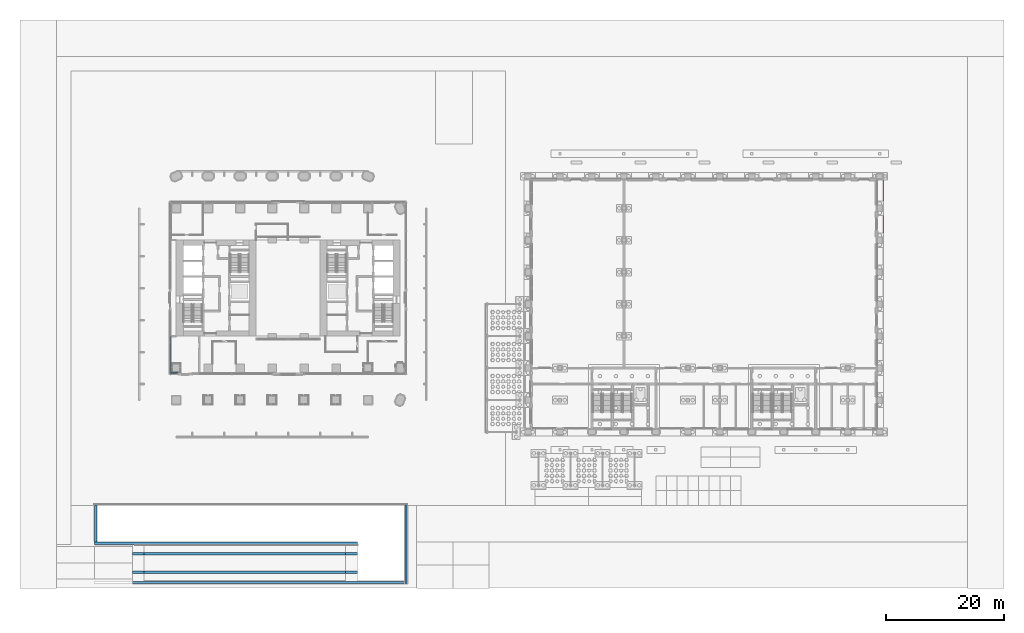
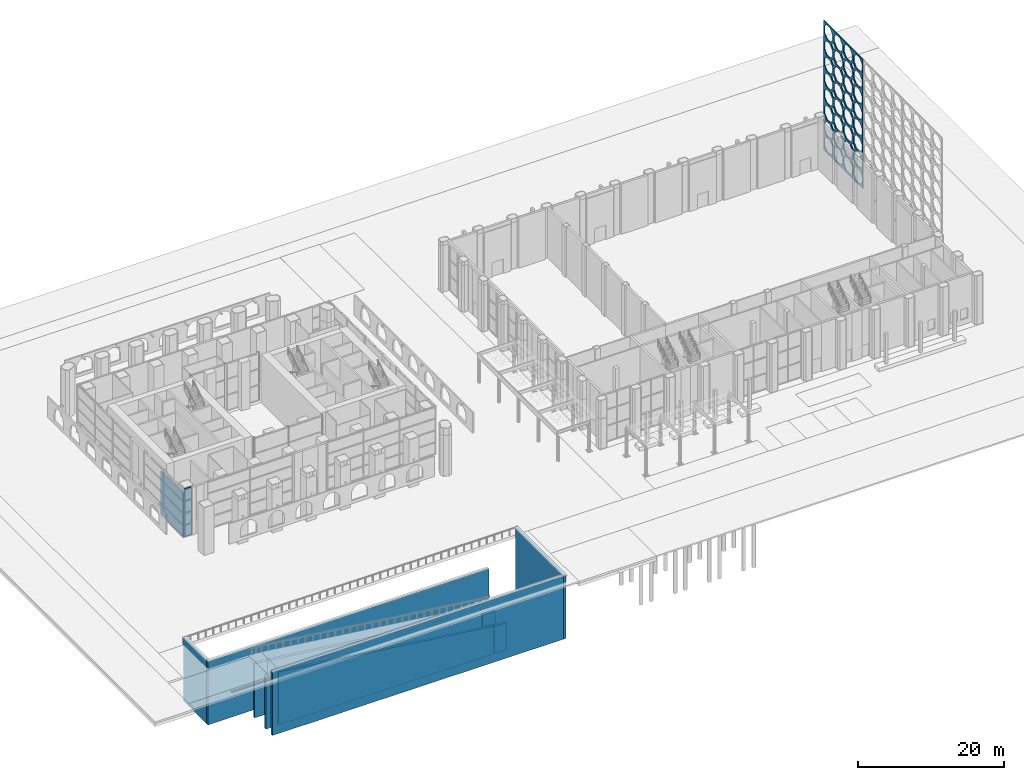
# One storey, part 29 of 54: 12 walls, 1 plate.
"""IFC4 building model written with IfcOpenShell, lengths in metres."""

from ifc_helpers import new_model, si_unit, direction, frame, frame_2d, origin, place, context, subcontext, project, spatial, polyline, rectangle, outline, extrude, material, layer, layer_set, type_object, element, save


model = new_model("IFC4")

# Units and contexts
model_context = context("Model", 3, precision=1e-05, world=origin(), true_north=direction((0.0, 1.0)))
body_context = subcontext(model_context, "Body", "Model", "MODEL_VIEW")
ifc_project = project(units=[si_unit("LENGTHUNIT", "METRE"), si_unit("AREAUNIT", "SQUARE_METRE"), si_unit("VOLUMEUNIT", "CUBIC_METRE"), si_unit("PLANEANGLEUNIT", "RADIAN"), si_unit("MASSUNIT", "GRAM", prefix="KILO")], contexts=[model_context])

# Site, building, storey
site_placement = place(None, origin())
site = spatial("IfcSite", under=ifc_project, at=site_placement, CompositionType="ELEMENT")
building_placement = place(site_placement, origin())
building = spatial("IfcBuilding", under=site, at=building_placement, Name="Tabaq Tower and Sports Hall", CompositionType="ELEMENT")
storey_placement = place(building_placement, origin())
storey = spatial("IfcBuildingStorey", under=building, at=storey_placement, Name="L00", CompositionType="ELEMENT", Elevation=0.0)

# Plate
ifc_material_1 = material(Name="White precast concrete C60/75", Category="concrete")
ifc_layer_1 = layer(ifc_material_1, 0.1201171875)
ifc_layer_set_1 = layer_set([ifc_layer_1], Name="HALL GIRIH SCREEN 120")
plate_type = type_object("IfcPlateType", Name="HALL GIRIH SCREEN 120", PredefinedType="USERDEFINED", material=ifc_layer_set_1)
plate_placement = place(storey_placement, frame((124.800048828125, 32.419921875, 2.39990234375), z_axis=(0.0, 0.0, 1.0), x_axis=(0.0, 1.0, 0.0)))
element("IfcPlate", 1, at=plate_placement, inside=storey, type_object=plate_type, Name="Hall girih screen 3", ObjectType="SCREEN", PredefinedType="USERDEFINED", context=body_context, shape_type="SweptSolid", body=[
    extrude(outline(polyline([(0.0, 0.0), (10.760009765625, 0.0), (10.760009765625, 21.60009765625), (0.0, 21.60009765625), (0.0, 0.0)]), holes=[polyline([(2.487060546875, 1.866943359375), (2.162109375, 2.2109375), (1.818115234375, 2.535888671875), (1.344970703125, 2.549560546875), (0.871826171875, 2.535888671875), (0.52783203125, 2.2109375), (0.202880859375, 1.866943359375), (0.189453125, 1.393798828125), (0.202880859375, 0.920654296875), (0.52783203125, 0.57666015625), (0.871826171875, 0.251708984375), (1.344970703125, 0.23828125), (1.818115234375, 0.251708984375), (2.162109375, 0.57666015625), (2.487060546875, 0.920654296875), (2.500732421875, 1.393798828125), (2.487060546875, 1.866943359375)]), polyline([(2.487060546875, 4.554443359375), (2.162109375, 4.8984375), (1.818115234375, 5.223388671875), (1.344970703125, 5.237060546875), (0.871826171875, 5.223388671875), (0.52783203125, 4.8984375), (0.202880859375, 4.554443359375), (0.189453125, 4.081298828125), (0.202880859375, 3.608154296875), (0.52783203125, 3.26416015625), (0.871826171875, 2.939208984375), (1.344970703125, 2.92578125), (1.818115234375, 2.939208984375), (2.162109375, 3.26416015625), (2.487060546875, 3.608154296875), (2.500732421875, 4.081298828125), (2.487060546875, 4.554443359375)]), polyline([(2.487060546875, 7.241943359375), (2.162109375, 7.5859375), (1.818115234375, 7.910888671875), (1.344970703125, 7.924560546875), (0.871826171875, 7.910888671875), (0.52783203125, 7.5859375), (0.202880859375, 7.241943359375), (0.189453125, 6.768798828125), (0.202880859375, 6.295654296875), (0.52783203125, 5.95166015625), (0.871826171875, 5.626708984375), (1.344970703125, 5.61328125), (1.818115234375, 5.626708984375), (2.162109375, 5.95166015625), (2.487060546875, 6.295654296875), (2.500732421875, 6.768798828125), (2.487060546875, 7.241943359375)]), polyline([(2.487060546875, 9.929443359375), (2.162109375, 10.2734375), (1.818115234375, 10.598388671875), (1.344970703125, 10.612060546875), (0.871826171875, 10.598388671875), (0.52783203125, 10.2734375), (0.202880859375, 9.929443359375), (0.189453125, 9.456298828125), (0.202880859375, 8.983154296875), (0.52783203125, 8.63916015625), (0.871826171875, 8.314208984375), (1.344970703125, 8.30078125), (1.818115234375, 8.314208984375), (2.162109375, 8.63916015625), (2.487060546875, 8.983154296875), (2.500732421875, 9.456298828125), (2.487060546875, 9.929443359375)]), polyline([(2.487060546875, 12.616943359375), (2.162109375, 12.9609375), (1.818115234375, 13.285888671875), (1.344970703125, 13.299560546875), (0.871826171875, 13.285888671875), (0.52783203125, 12.9609375), (0.202880859375, 12.616943359375), (0.189453125, 12.143798828125), (0.202880859375, 11.670654296875), (0.52783203125, 11.32666015625), (0.871826171875, 11.001708984375), (1.344970703125, 10.98828125), (1.818115234375, 11.001708984375), (2.162109375, 11.32666015625), (2.487060546875, 11.670654296875), (2.500732421875, 12.143798828125), (2.487060546875, 12.616943359375)]), polyline([(2.487060546875, 15.304443359375), (2.162109375, 15.6484375), (1.818115234375, 15.973388671875), (1.344970703125, 15.987060546875), (0.871826171875, 15.973388671875), (0.52783203125, 15.6484375), (0.202880859375, 15.304443359375), (0.189453125, 14.831298828125), (0.202880859375, 14.358154296875), (0.52783203125, 14.01416015625), (0.871826171875, 13.689208984375), (1.344970703125, 13.67578125), (1.818115234375, 13.689208984375), (2.162109375, 14.01416015625), (2.487060546875, 14.358154296875), (2.500732421875, 14.831298828125), (2.487060546875, 15.304443359375)]), polyline([(2.487060546875, 17.991943359375), (2.162109375, 18.3359375), (1.818115234375, 18.660888671875), (1.344970703125, 18.674560546875), (0.871826171875, 18.660888671875), (0.52783203125, 18.3359375), (0.202880859375, 17.991943359375), (0.189453125, 17.518798828125), (0.202880859375, 17.045654296875), (0.52783203125, 16.70166015625), (0.871826171875, 16.376708984375), (1.344970703125, 16.36328125), (1.818115234375, 16.376708984375), (2.162109375, 16.70166015625), (2.487060546875, 17.045654296875), (2.500732421875, 17.518798828125), (2.487060546875, 17.991943359375)]), polyline([(2.487060546875, 20.679443359375), (2.162109375, 21.0234375), (1.818115234375, 21.348388671875), (1.344970703125, 21.362060546875), (0.871826171875, 21.348388671875), (0.52783203125, 21.0234375), (0.202880859375, 20.679443359375), (0.189453125, 20.206298828125), (0.202880859375, 19.733154296875), (0.52783203125, 19.38916015625), (0.871826171875, 19.064208984375), (1.344970703125, 19.05078125), (1.818115234375, 19.064208984375), (2.162109375, 19.38916015625), (2.487060546875, 19.733154296875), (2.500732421875, 20.206298828125), (2.487060546875, 20.679443359375)]), polyline([(5.17724609375, 1.866943359375), (4.85205078125, 2.2109375), (4.508056640625, 2.535888671875), (4.034912109375, 2.549560546875), (3.56201171875, 2.535888671875), (3.2177734375, 2.2109375), (2.892822265625, 1.866943359375), (2.87939453125, 1.393798828125), (2.892822265625, 0.920654296875), (3.2177734375, 0.57666015625), (3.56201171875, 0.251708984375), (4.034912109375, 0.23828125), (4.508056640625, 0.251708984375), (4.85205078125, 0.57666015625), (5.17724609375, 0.920654296875), (5.190673828125, 1.393798828125), (5.17724609375, 1.866943359375)]), polyline([(5.17724609375, 4.554443359375), (4.85205078125, 4.8984375), (4.508056640625, 5.223388671875), (4.034912109375, 5.237060546875), (3.56201171875, 5.223388671875), (3.2177734375, 4.8984375), (2.892822265625, 4.554443359375), (2.87939453125, 4.081298828125), (2.892822265625, 3.608154296875), (3.2177734375, 3.26416015625), (3.56201171875, 2.939208984375), (4.034912109375, 2.92578125), (4.508056640625, 2.939208984375), (4.85205078125, 3.26416015625), (5.17724609375, 3.608154296875), (5.190673828125, 4.081298828125), (5.17724609375, 4.554443359375)]), polyline([(5.17724609375, 7.241943359375), (4.85205078125, 7.5859375), (4.508056640625, 7.910888671875), (4.034912109375, 7.924560546875), (3.56201171875, 7.910888671875), (3.2177734375, 7.5859375), (2.892822265625, 7.241943359375), (2.87939453125, 6.768798828125), (2.892822265625, 6.295654296875), (3.2177734375, 5.95166015625), (3.56201171875, 5.626708984375), (4.034912109375, 5.61328125), (4.508056640625, 5.626708984375), (4.85205078125, 5.95166015625), (5.17724609375, 6.295654296875), (5.190673828125, 6.768798828125), (5.17724609375, 7.241943359375)]), polyline([(5.17724609375, 9.929443359375), (4.85205078125, 10.2734375), (4.508056640625, 10.598388671875), (4.034912109375, 10.612060546875), (3.56201171875, 10.598388671875), (3.2177734375, 10.2734375), (2.892822265625, 9.929443359375), (2.87939453125, 9.456298828125), (2.892822265625, 8.983154296875), (3.2177734375, 8.63916015625), (3.56201171875, 8.314208984375), (4.034912109375, 8.30078125), (4.508056640625, 8.314208984375), (4.85205078125, 8.63916015625), (5.17724609375, 8.983154296875), (5.190673828125, 9.456298828125), (5.17724609375, 9.929443359375)]), polyline([(5.17724609375, 12.616943359375), (4.85205078125, 12.9609375), (4.508056640625, 13.285888671875), (4.034912109375, 13.299560546875), (3.56201171875, 13.285888671875), (3.2177734375, 12.9609375), (2.892822265625, 12.616943359375), (2.87939453125, 12.143798828125), (2.892822265625, 11.670654296875), (3.2177734375, 11.32666015625), (3.56201171875, 11.001708984375), (4.034912109375, 10.98828125), (4.508056640625, 11.001708984375), (4.85205078125, 11.32666015625), (5.17724609375, 11.670654296875), (5.190673828125, 12.143798828125), (5.17724609375, 12.616943359375)]), polyline([(5.17724609375, 15.304443359375), (4.85205078125, 15.6484375), (4.508056640625, 15.973388671875), (4.034912109375, 15.987060546875), (3.56201171875, 15.973388671875), (3.2177734375, 15.6484375), (2.892822265625, 15.304443359375), (2.87939453125, 14.831298828125), (2.892822265625, 14.358154296875), (3.2177734375, 14.01416015625), (3.56201171875, 13.689208984375), (4.034912109375, 13.67578125), (4.508056640625, 13.689208984375), (4.85205078125, 14.01416015625), (5.17724609375, 14.358154296875), (5.190673828125, 14.831298828125), (5.17724609375, 15.304443359375)]), polyline([(5.17724609375, 17.991943359375), (4.85205078125, 18.3359375), (4.508056640625, 18.660888671875), (4.034912109375, 18.674560546875), (3.56201171875, 18.660888671875), (3.2177734375, 18.3359375), (2.892822265625, 17.991943359375), (2.87939453125, 17.518798828125), (2.892822265625, 17.045654296875), (3.2177734375, 16.70166015625), (3.56201171875, 16.376708984375), (4.034912109375, 16.36328125), (4.508056640625, 16.376708984375), (4.85205078125, 16.70166015625), (5.17724609375, 17.045654296875), (5.190673828125, 17.518798828125), (5.17724609375, 17.991943359375)]), polyline([(5.17724609375, 20.679443359375), (4.85205078125, 21.0234375), (4.508056640625, 21.348388671875), (4.034912109375, 21.362060546875), (3.56201171875, 21.348388671875), (3.2177734375, 21.0234375), (2.892822265625, 20.679443359375), (2.87939453125, 20.206298828125), (2.892822265625, 19.733154296875), (3.2177734375, 19.38916015625), (3.56201171875, 19.064208984375), (4.034912109375, 19.05078125), (4.508056640625, 19.064208984375), (4.85205078125, 19.38916015625), (5.17724609375, 19.733154296875), (5.190673828125, 20.206298828125), (5.17724609375, 20.679443359375)]), polyline([(7.8671875, 1.866943359375), (7.542236328125, 2.2109375), (7.197998046875, 2.535888671875), (6.72509765625, 2.549560546875), (6.251953125, 2.535888671875), (5.907958984375, 2.2109375), (5.582763671875, 1.866943359375), (5.5693359375, 1.393798828125), (5.582763671875, 0.920654296875), (5.907958984375, 0.57666015625), (6.251953125, 0.251708984375), (6.72509765625, 0.23828125), (7.197998046875, 0.251708984375), (7.542236328125, 0.57666015625), (7.8671875, 0.920654296875), (7.880615234375, 1.393798828125), (7.8671875, 1.866943359375)]), polyline([(7.8671875, 4.554443359375), (7.542236328125, 4.8984375), (7.197998046875, 5.223388671875), (6.72509765625, 5.237060546875), (6.251953125, 5.223388671875), (5.907958984375, 4.8984375), (5.582763671875, 4.554443359375), (5.5693359375, 4.081298828125), (5.582763671875, 3.608154296875), (5.907958984375, 3.26416015625), (6.251953125, 2.939208984375), (6.72509765625, 2.92578125), (7.197998046875, 2.939208984375), (7.542236328125, 3.26416015625), (7.8671875, 3.608154296875), (7.880615234375, 4.081298828125), (7.8671875, 4.554443359375)]), polyline([(7.8671875, 7.241943359375), (7.542236328125, 7.5859375), (7.197998046875, 7.910888671875), (6.72509765625, 7.924560546875), (6.251953125, 7.910888671875), (5.907958984375, 7.5859375), (5.582763671875, 7.241943359375), (5.5693359375, 6.768798828125), (5.582763671875, 6.295654296875), (5.907958984375, 5.95166015625), (6.251953125, 5.626708984375), (6.72509765625, 5.61328125), (7.197998046875, 5.626708984375), (7.542236328125, 5.95166015625), (7.8671875, 6.295654296875), (7.880615234375, 6.768798828125), (7.8671875, 7.241943359375)]), polyline([(7.8671875, 9.929443359375), (7.542236328125, 10.2734375), (7.197998046875, 10.598388671875), (6.72509765625, 10.612060546875), (6.251953125, 10.598388671875), (5.907958984375, 10.2734375), (5.582763671875, 9.929443359375), (5.5693359375, 9.456298828125), (5.582763671875, 8.983154296875), (5.907958984375, 8.63916015625), (6.251953125, 8.314208984375), (6.72509765625, 8.30078125), (7.197998046875, 8.314208984375), (7.542236328125, 8.63916015625), (7.8671875, 8.983154296875), (7.880615234375, 9.456298828125), (7.8671875, 9.929443359375)]), polyline([(7.8671875, 12.616943359375), (7.542236328125, 12.9609375), (7.197998046875, 13.285888671875), (6.72509765625, 13.299560546875), (6.251953125, 13.285888671875), (5.907958984375, 12.9609375), (5.582763671875, 12.616943359375), (5.5693359375, 12.143798828125), (5.582763671875, 11.670654296875), (5.907958984375, 11.32666015625), (6.251953125, 11.001708984375), (6.72509765625, 10.98828125), (7.197998046875, 11.001708984375), (7.542236328125, 11.32666015625), (7.8671875, 11.670654296875), (7.880615234375, 12.143798828125), (7.8671875, 12.616943359375)]), polyline([(7.8671875, 15.304443359375), (7.542236328125, 15.6484375), (7.197998046875, 15.973388671875), (6.72509765625, 15.987060546875), (6.251953125, 15.973388671875), (5.907958984375, 15.6484375), (5.582763671875, 15.304443359375), (5.5693359375, 14.831298828125), (5.582763671875, 14.358154296875), (5.907958984375, 14.01416015625), (6.251953125, 13.689208984375), (6.72509765625, 13.67578125), (7.197998046875, 13.689208984375), (7.542236328125, 14.01416015625), (7.8671875, 14.358154296875), (7.880615234375, 14.831298828125), (7.8671875, 15.304443359375)]), polyline([(7.8671875, 17.991943359375), (7.542236328125, 18.3359375), (7.197998046875, 18.660888671875), (6.72509765625, 18.674560546875), (6.251953125, 18.660888671875), (5.907958984375, 18.3359375), (5.582763671875, 17.991943359375), (5.5693359375, 17.518798828125), (5.582763671875, 17.045654296875), (5.907958984375, 16.70166015625), (6.251953125, 16.376708984375), (6.72509765625, 16.36328125), (7.197998046875, 16.376708984375), (7.542236328125, 16.70166015625), (7.8671875, 17.045654296875), (7.880615234375, 17.518798828125), (7.8671875, 17.991943359375)]), polyline([(7.8671875, 20.679443359375), (7.542236328125, 21.0234375), (7.197998046875, 21.348388671875), (6.72509765625, 21.362060546875), (6.251953125, 21.348388671875), (5.907958984375, 21.0234375), (5.582763671875, 20.679443359375), (5.5693359375, 20.206298828125), (5.582763671875, 19.733154296875), (5.907958984375, 19.38916015625), (6.251953125, 19.064208984375), (6.72509765625, 19.05078125), (7.197998046875, 19.064208984375), (7.542236328125, 19.38916015625), (7.8671875, 19.733154296875), (7.880615234375, 20.206298828125), (7.8671875, 20.679443359375)]), polyline([(10.55712890625, 1.866943359375), (10.232177734375, 2.2109375), (9.88818359375, 2.535888671875), (9.4150390625, 2.549560546875), (8.94189453125, 2.535888671875), (8.597900390625, 2.2109375), (8.27294921875, 1.866943359375), (8.25927734375, 1.393798828125), (8.27294921875, 0.920654296875), (8.597900390625, 0.57666015625), (8.94189453125, 0.251708984375), (9.4150390625, 0.23828125), (9.88818359375, 0.251708984375), (10.232177734375, 0.57666015625), (10.55712890625, 0.920654296875), (10.570556640625, 1.393798828125), (10.55712890625, 1.866943359375)]), polyline([(10.55712890625, 4.554443359375), (10.232177734375, 4.8984375), (9.88818359375, 5.223388671875), (9.4150390625, 5.237060546875), (8.94189453125, 5.223388671875), (8.597900390625, 4.8984375), (8.27294921875, 4.554443359375), (8.25927734375, 4.081298828125), (8.27294921875, 3.608154296875), (8.597900390625, 3.26416015625), (8.94189453125, 2.939208984375), (9.4150390625, 2.92578125), (9.88818359375, 2.939208984375), (10.232177734375, 3.26416015625), (10.55712890625, 3.608154296875), (10.570556640625, 4.081298828125), (10.55712890625, 4.554443359375)]), polyline([(10.55712890625, 7.241943359375), (10.232177734375, 7.5859375), (9.88818359375, 7.910888671875), (9.4150390625, 7.924560546875), (8.94189453125, 7.910888671875), (8.597900390625, 7.5859375), (8.27294921875, 7.241943359375), (8.25927734375, 6.768798828125), (8.27294921875, 6.295654296875), (8.597900390625, 5.95166015625), (8.94189453125, 5.626708984375), (9.4150390625, 5.61328125), (9.88818359375, 5.626708984375), (10.232177734375, 5.95166015625), (10.55712890625, 6.295654296875), (10.570556640625, 6.768798828125), (10.55712890625, 7.241943359375)]), polyline([(10.55712890625, 9.929443359375), (10.232177734375, 10.2734375), (9.88818359375, 10.598388671875), (9.4150390625, 10.612060546875), (8.94189453125, 10.598388671875), (8.597900390625, 10.2734375), (8.27294921875, 9.929443359375), (8.25927734375, 9.456298828125), (8.27294921875, 8.983154296875), (8.597900390625, 8.63916015625), (8.94189453125, 8.314208984375), (9.4150390625, 8.30078125), (9.88818359375, 8.314208984375), (10.232177734375, 8.63916015625), (10.55712890625, 8.983154296875), (10.570556640625, 9.456298828125), (10.55712890625, 9.929443359375)]), polyline([(10.55712890625, 12.616943359375), (10.232177734375, 12.9609375), (9.88818359375, 13.285888671875), (9.4150390625, 13.299560546875), (8.94189453125, 13.285888671875), (8.597900390625, 12.9609375), (8.27294921875, 12.616943359375), (8.25927734375, 12.143798828125), (8.27294921875, 11.670654296875), (8.597900390625, 11.32666015625), (8.94189453125, 11.001708984375), (9.4150390625, 10.98828125), (9.88818359375, 11.001708984375), (10.232177734375, 11.32666015625), (10.55712890625, 11.670654296875), (10.570556640625, 12.143798828125), (10.55712890625, 12.616943359375)]), polyline([(10.55712890625, 15.304443359375), (10.232177734375, 15.6484375), (9.88818359375, 15.973388671875), (9.4150390625, 15.987060546875), (8.94189453125, 15.973388671875), (8.597900390625, 15.6484375), (8.27294921875, 15.304443359375), (8.25927734375, 14.831298828125), (8.27294921875, 14.358154296875), (8.597900390625, 14.01416015625), (8.94189453125, 13.689208984375), (9.4150390625, 13.67578125), (9.88818359375, 13.689208984375), (10.232177734375, 14.01416015625), (10.55712890625, 14.358154296875), (10.570556640625, 14.831298828125), (10.55712890625, 15.304443359375)]), polyline([(10.55712890625, 17.991943359375), (10.232177734375, 18.3359375), (9.88818359375, 18.660888671875), (9.4150390625, 18.674560546875), (8.94189453125, 18.660888671875), (8.597900390625, 18.3359375), (8.27294921875, 17.991943359375), (8.25927734375, 17.518798828125), (8.27294921875, 17.045654296875), (8.597900390625, 16.70166015625), (8.94189453125, 16.376708984375), (9.4150390625, 16.36328125), (9.88818359375, 16.376708984375), (10.232177734375, 16.70166015625), (10.55712890625, 17.045654296875), (10.570556640625, 17.518798828125), (10.55712890625, 17.991943359375)]), polyline([(10.55712890625, 20.679443359375), (10.232177734375, 21.0234375), (9.88818359375, 21.348388671875), (9.4150390625, 21.362060546875), (8.94189453125, 21.348388671875), (8.597900390625, 21.0234375), (8.27294921875, 20.679443359375), (8.25927734375, 20.206298828125), (8.27294921875, 19.733154296875), (8.597900390625, 19.38916015625), (8.94189453125, 19.064208984375), (9.4150390625, 19.05078125), (9.88818359375, 19.064208984375), (10.232177734375, 19.38916015625), (10.55712890625, 19.733154296875), (10.570556640625, 20.206298828125), (10.55712890625, 20.679443359375)]), polyline([(3.2275390625, 2.737548828125), (2.68994140625, 3.275146484375), (2.152587890625, 2.737548828125), (2.68994140625, 2.2001953125), (3.2275390625, 2.737548828125)]), polyline([(3.2275390625, 5.425048828125), (2.68994140625, 5.962646484375), (2.152587890625, 5.425048828125), (2.68994140625, 4.8876953125), (3.2275390625, 5.425048828125)]), polyline([(3.2275390625, 8.112548828125), (2.68994140625, 8.650146484375), (2.152587890625, 8.112548828125), (2.68994140625, 7.5751953125), (3.2275390625, 8.112548828125)]), polyline([(3.2275390625, 10.800048828125), (2.68994140625, 11.337646484375), (2.152587890625, 10.800048828125), (2.68994140625, 10.2626953125), (3.2275390625, 10.800048828125)]), polyline([(3.2275390625, 13.487548828125), (2.68994140625, 14.025146484375), (2.152587890625, 13.487548828125), (2.68994140625, 12.9501953125), (3.2275390625, 13.487548828125)]), polyline([(3.2275390625, 16.175048828125), (2.68994140625, 16.712646484375), (2.152587890625, 16.175048828125), (2.68994140625, 15.6376953125), (3.2275390625, 16.175048828125)]), polyline([(3.2275390625, 18.862548828125), (2.68994140625, 19.400146484375), (2.152587890625, 18.862548828125), (2.68994140625, 18.3251953125), (3.2275390625, 18.862548828125)]), polyline([(5.91748046875, 2.737548828125), (5.3798828125, 3.275146484375), (4.842529296875, 2.737548828125), (5.3798828125, 2.2001953125), (5.91748046875, 2.737548828125)]), polyline([(5.91748046875, 5.425048828125), (5.3798828125, 5.962646484375), (4.842529296875, 5.425048828125), (5.3798828125, 4.8876953125), (5.91748046875, 5.425048828125)]), polyline([(5.91748046875, 8.112548828125), (5.3798828125, 8.650146484375), (4.842529296875, 8.112548828125), (5.3798828125, 7.5751953125), (5.91748046875, 8.112548828125)]), polyline([(5.91748046875, 10.800048828125), (5.3798828125, 11.337646484375), (4.842529296875, 10.800048828125), (5.3798828125, 10.2626953125), (5.91748046875, 10.800048828125)]), polyline([(5.91748046875, 13.487548828125), (5.3798828125, 14.025146484375), (4.842529296875, 13.487548828125), (5.3798828125, 12.9501953125), (5.91748046875, 13.487548828125)]), polyline([(5.91748046875, 16.175048828125), (5.3798828125, 16.712646484375), (4.842529296875, 16.175048828125), (5.3798828125, 15.6376953125), (5.91748046875, 16.175048828125)]), polyline([(5.91748046875, 18.862548828125), (5.3798828125, 19.400146484375), (4.842529296875, 18.862548828125), (5.3798828125, 18.3251953125), (5.91748046875, 18.862548828125)]), polyline([(8.607421875, 2.737548828125), (8.070068359375, 3.275146484375), (7.532470703125, 2.737548828125), (8.070068359375, 2.2001953125), (8.607421875, 2.737548828125)]), polyline([(8.607421875, 5.425048828125), (8.070068359375, 5.962646484375), (7.532470703125, 5.425048828125), (8.070068359375, 4.8876953125), (8.607421875, 5.425048828125)]), polyline([(8.607421875, 8.112548828125), (8.070068359375, 8.650146484375), (7.532470703125, 8.112548828125), (8.070068359375, 7.5751953125), (8.607421875, 8.112548828125)]), polyline([(8.607421875, 10.800048828125), (8.070068359375, 11.337646484375), (7.532470703125, 10.800048828125), (8.070068359375, 10.2626953125), (8.607421875, 10.800048828125)]), polyline([(8.607421875, 13.487548828125), (8.070068359375, 14.025146484375), (7.532470703125, 13.487548828125), (8.070068359375, 12.9501953125), (8.607421875, 13.487548828125)]), polyline([(8.607421875, 16.175048828125), (8.070068359375, 16.712646484375), (7.532470703125, 16.175048828125), (8.070068359375, 15.6376953125), (8.607421875, 16.175048828125)]), polyline([(8.607421875, 18.862548828125), (8.070068359375, 19.400146484375), (7.532470703125, 18.862548828125), (8.070068359375, 18.3251953125), (8.607421875, 18.862548828125)])]), frame((0.0, 0.06005859375, 0.0), z_axis=(0.0, -1.0, 0.0), x_axis=(1.0, 0.0, 0.0)), (0.0, 0.0, 1.0), 0.1201171875),
])

# Walls
ifc_material_2 = material(Name="Blockwork", Category="masonry")
ifc_layer_2 = layer(ifc_material_2, 0.199951171875)
ifc_layer_set_2 = layer_set([ifc_layer_2], Name="Fire compartment wall 200 Blockwork")
wall_type_1 = type_object("IfcWallType", Name="Fire compartment wall 200 Blockwork", PredefinedType="PARTITIONING", material=ifc_layer_set_2)
wall_1_placement = place(storey_placement, frame((4.5, 16.10009765625, 0.0), z_axis=(0.0, 0.0, 1.0), x_axis=(0.0, -1.0, 0.0)))
element("IfcWall", 2, at=wall_1_placement, inside=storey, type_object=wall_type_1, Name="Compartment wall L00", PredefinedType="PARTITIONING", context=body_context, shape_type="SweptSolid", body=[
    extrude(rectangle(XDim=6.300048828125, YDim=0.199951171875, at=frame_2d((3.14990234375, 0.0))), origin(), (0.0, 0.0, 1.0), 7.25),
])
wall_2_placement = place(storey_placement, frame((4.60009765625, 9.89990234375, 0.0), z_axis=(0.0, 0.0, 1.0), x_axis=(1.0, 0.0, 0.0)))
element("IfcWall", 3, at=wall_2_placement, inside=storey, type_object=wall_type_1, Name="Compartment wall L00", PredefinedType="PARTITIONING", context=body_context, shape_type="SweptSolid", body=[
    extrude(rectangle(XDim=1.099853515625, YDim=0.199951171875, at=frame_2d((0.5498046875, 0.0))), origin(), (0.0, 0.0, 1.0), 8.0),
])
ifc_material_3 = material(Name="Concrete C40/50", Category="concrete")
ifc_layer_3 = layer(ifc_material_3, 0.39990234375)
ifc_layer_set_3 = layer_set([ifc_layer_3], Name="Ramp Retaining Wall 400")
wall_type_2 = type_object("IfcWallType", Name="Ramp Retaining Wall 400", PredefinedType="SOLIDWALL", material=ifc_layer_set_3)
for number, where, z_axis, x_axis, name in (
    (4, (-2.0, -23.64990234375, -9.39990234375), (0.0, 0.0, 1.0), (1.0, 0.0, 0.0), "Car Ramp R1 Support Wall 1.1"),
    (5, (-2.0, -20.550048828125, -9.39990234375), (0.0, 0.0, 1.0), (1.0, 0.0, 0.0), "Car Ramp R1 Support Wall 1.2"),
):
    element("IfcWall", number, at=place(storey_placement, frame(where, z_axis=z_axis, x_axis=x_axis)), inside=storey, type_object=wall_type_2, Name=name, PredefinedType="SOLIDWALL", context=body_context, shape_type="SweptSolid", body=[
        extrude(outline(polyline([(0.0, 0.0), (2.0, 0.0), (2.0, 8.875), (0.0, 9.0), (0.0, 0.0)])), frame((0.0, 0.199951171875, 0.0), z_axis=(0.0, -1.0, 0.0), x_axis=(1.0, 0.0, 0.0)), (0.0, 0.0, 1.0), 0.39990234375),
    ])
for number, where, z_axis, x_axis, name in (
    (6, (0.0, -23.64990234375, -9.39990234375), (0.0, 0.0, 1.0), (1.0, 0.0, 0.0), "Car Ramp R1 Support Wall 2.1"),
    (7, (0.0, -20.550048828125, -9.39990234375), (0.0, 0.0, 1.0), (1.0, 0.0, 0.0), "Car Ramp R1 Support Wall 2.2"),
):
    element("IfcWall", number, at=place(storey_placement, frame(where, z_axis=z_axis, x_axis=x_axis)), inside=storey, type_object=wall_type_2, Name=name, PredefinedType="SOLIDWALL", context=body_context, shape_type="SweptSolid", body=[
        extrude(outline(polyline([(0.0, 0.0), (34.0, 0.0), (34.0, 4.625), (0.0, 8.875), (0.0, 0.0)])), frame((0.0, 0.199951171875, 0.0), z_axis=(0.0, -1.0, 0.0), x_axis=(1.0, 0.0, 0.0)), (0.0, 0.0, 1.0), 0.39990234375),
    ])
for number, where, z_axis, x_axis, name in (
    (8, (34.0, -23.64990234375, -9.39990234375), (0.0, 0.0, 1.0), (1.0, 0.0, 0.0), "Car Ramp R1 Support Wall 3.1"),
    (9, (34.0, -20.550048828125, -9.39990234375), (0.0, 0.0, 1.0), (1.0, 0.0, 0.0), "Car Ramp R1 Support Wall 3.2"),
):
    element("IfcWall", number, at=place(storey_placement, frame(where, z_axis=z_axis, x_axis=x_axis)), inside=storey, type_object=wall_type_2, Name=name, PredefinedType="SOLIDWALL", context=body_context, shape_type="SweptSolid", body=[
        extrude(outline(polyline([(0.0, 0.0), (2.0, 0.0), (2.0, 4.5), (0.0, 4.625), (0.0, 0.0)])), frame((0.0, 0.199951171875, 0.0), z_axis=(0.0, -1.0, 0.0), x_axis=(1.0, 0.0, 0.0)), (0.0, 0.0, 1.0), 0.39990234375),
    ])
wall_3_placement = place(storey_placement, frame((-2.0, -25.39990234375, -9.39990234375), z_axis=(0.0, 0.0, 1.0), x_axis=(1.0, 0.0, 0.0)))
element("IfcWall", 10, at=wall_3_placement, inside=storey, type_object=wall_type_2, Name="Ramp Trench Wall South", PredefinedType="SOLIDWALL", context=body_context, shape_type="SweptSolid", body=[
    extrude(rectangle(XDim=46.0, YDim=0.39990234375, at=frame_2d((23.0, 0.0))), origin(), (0.0, 0.0, 1.0), 10.5),
])
wall_4_placement = place(storey_placement, frame((-8.39990234375, -18.800048828125, -9.39990234375), z_axis=(0.0, 0.0, 1.0), x_axis=(1.0, 0.0, 0.0)))
element("IfcWall", 11, at=wall_4_placement, inside=storey, type_object=wall_type_2, Name="Ramp Trench Divider Wall", PredefinedType="SOLIDWALL", context=body_context, shape_type="SweptSolid", body=[
    extrude(rectangle(XDim=44.39990234375, YDim=0.39990234375, at=frame_2d((22.199951171875, 0.0))), origin(), (0.0, 0.0, 1.0), 10.5),
])
wall_5_placement = place(storey_placement, frame((44.199951171875, -25.60009765625, -9.39990234375), z_axis=(0.0, 0.0, 1.0), x_axis=(0.0, 1.0, 0.0)))
element("IfcWall", 12, at=wall_5_placement, inside=storey, type_object=wall_type_2, Name="Ramp Trench Wall East", PredefinedType="SOLIDWALL", context=body_context, shape_type="SweptSolid", body=[
    extrude(rectangle(XDim=13.2001953125, YDim=0.39990234375, at=frame_2d((6.60009765625, 0.0))), origin(), (0.0, 0.0, 1.0), 10.5),
])
wall_6_placement = place(storey_placement, frame((-8.199951171875, -18.60009765625, -9.39990234375), z_axis=(0.0, 0.0, 1.0), x_axis=(0.0, 1.0, 0.0)))
element("IfcWall", 13, at=wall_6_placement, inside=storey, type_object=wall_type_2, Name="Ramp Trench Wall West", PredefinedType="SOLIDWALL", context=body_context, shape_type="SweptSolid", body=[
    extrude(rectangle(XDim=6.2001953125, YDim=0.39990234375, at=frame_2d((3.10009765625, 0.0))), origin(), (0.0, 0.0, 1.0), 10.5),
])

save(model, "model.ifc")
